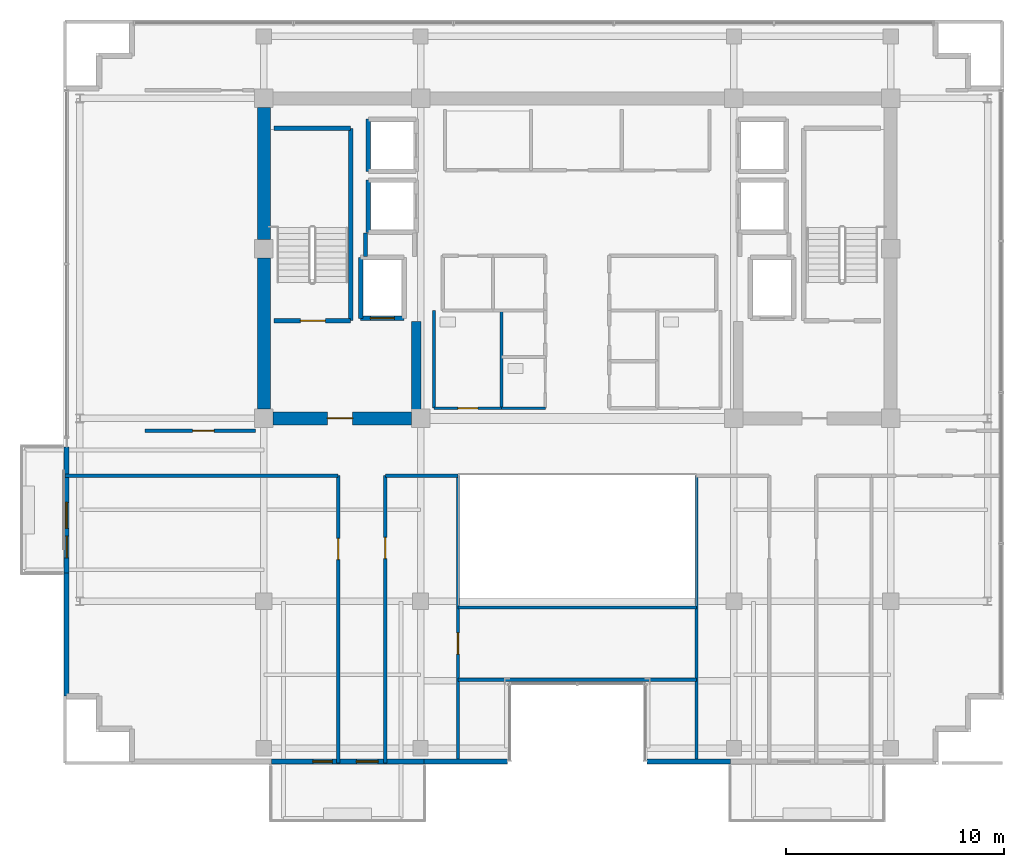
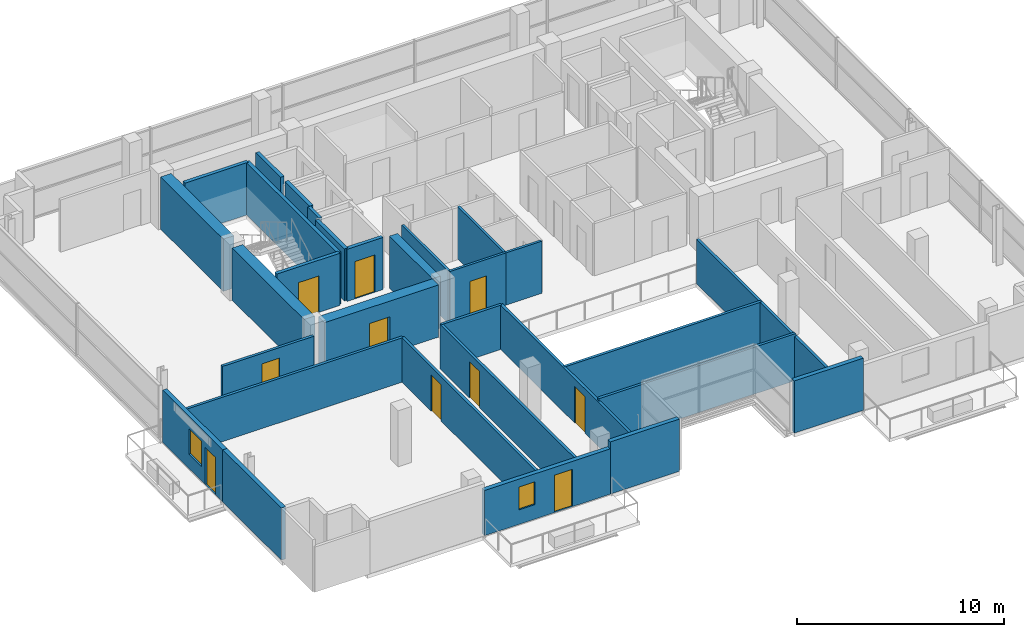
# One storey, part 15 of 22: 30 walls, 10 doors, 2 windows, 12 openings.
"""IFC4 building model written with IfcOpenShell, lengths in metres."""

from ifc_helpers import new_model, si_unit, direction, frame, frame_2d, origin, place, context, subcontext, project, spatial, rectangle, extrude, source, transform, mapped, material, layer, layer_set, type_object, element, fill, save


model = new_model("IFC4")

# Units and contexts
model_context = context("Model", 3, precision=1e-05, world=origin(), true_north=direction((0.0, 1.0)))
body_context = subcontext(model_context, "Body", "Model", "MODEL_VIEW")
ifc_project = project(units=[si_unit("LENGTHUNIT", "METRE"), si_unit("AREAUNIT", "SQUARE_METRE"), si_unit("VOLUMEUNIT", "CUBIC_METRE"), si_unit("PLANEANGLEUNIT", "RADIAN"), si_unit("MASSUNIT", "GRAM", prefix="KILO")], contexts=[model_context])

# Site, building, storey
site_placement = place(None, origin())
site = spatial("IfcSite", under=ifc_project, at=site_placement, CompositionType="ELEMENT")
building_placement = place(site_placement, origin())
building = spatial("IfcBuilding", under=site, at=building_placement, Name="Zarnakvel Exchange Tower", CompositionType="ELEMENT")
storey_placement = place(building_placement, frame((0.0, 0.0, 228.699951171875)))
storey = spatial("IfcBuildingStorey", under=building, at=storey_placement, Name="L64", CompositionType="ELEMENT", Elevation=228.699951171875)

# Walls
ifc_material_1 = material(Name="Concrete C50/60", Category="concrete")
ifc_layer_1 = layer(ifc_material_1, 0.60009765625)
ifc_layer_set_1 = layer_set([ifc_layer_1], Name="Concrete C50/60")
wall_type_1 = type_object("IfcWallType", Name="CW-C5", PredefinedType="SHEAR", material=ifc_layer_set_1)
wall_1_placement = place(storey_placement, frame((-14.39990234375, -0.77490234375, 0.0), z_axis=(0.0, 0.0, 1.0), x_axis=(0.0, 1.0, 0.0)))
element("IfcWall", 1, at=wall_1_placement, inside=storey, type_object=wall_type_1, Name="L64 Rear Core Shear Wall W1 (CW-C5)", PredefinedType="SHEAR", context=body_context, shape_type="SweptSolid", body=[
    extrude(rectangle(XDim=6.949951171875, YDim=0.60009765625, at=frame_2d((3.47509765625, 0.0))), origin(), (0.0, 0.0, 1.0), 3.074951171875),
])
wall_2_placement = place(storey_placement, frame((-14.39990234375, 7.02490234375, 0.0), z_axis=(0.0, 0.0, 1.0), x_axis=(0.0, 1.0, 0.0)))
element("IfcWall", 2, at=wall_2_placement, inside=storey, type_object=wall_type_1, Name="L64 Rear Core Shear Wall W2 (CW-C5)", PredefinedType="SHEAR", context=body_context, shape_type="SweptSolid", body=[
    extrude(rectangle(XDim=6.050048828125, YDim=0.60009765625, at=frame_2d((3.02490234375, 0.0))), origin(), (0.0, 0.0, 1.0), 3.074951171875),
])

# Wall, opening, door
wall_3_placement = place(storey_placement, frame((-7.625, -1.199951171875, 0.0), z_axis=(0.0, 0.0, 1.0), x_axis=(-1.0, 0.0, 0.0)))
wall_3 = element("IfcWall", 3, at=wall_3_placement, inside=storey, type_object=wall_type_1, Name="L64 Rear Core Shear Wall SW (CW-C5)", PredefinedType="SHEAR", context=body_context, shape_type="SweptSolid", body=[
    extrude(rectangle(XDim=6.35009765625, YDim=0.60009765625, at=frame_2d((3.175048828125, 0.0))), origin(), (0.0, 0.0, 1.0), 3.074951171875),
])
opening_1_placement = place(wall_3_placement, frame((2.699951171875, 0.0, 0.0)))
opening_1 = element("IfcOpeningElement", 4, at=opening_1_placement, cuts=wall_3, Name="Opening D-L64-03", PredefinedType="OPENING", context=body_context, shape_type="SweptSolid", body=[
    extrude(rectangle(XDim=1.14990234375, YDim=2.14990234375, at=frame_2d((0.574951171875, 1.074951171875))), frame((0.0, 0.31005859375, 0.0), z_axis=(0.0, -1.0, 0.0), x_axis=(1.0, 0.0, 0.0)), (0.0, 0.0, 1.0), 0.6201171875),
])
ifc_material_2 = material(Name="Painted Galvanised Steel S355", Category="steel")
door_type_1 = type_object("IfcDoorType", Name="DT-04", OperationType="NOTDEFINED", PredefinedType="DOOR", material=ifc_material_2)
shared_shape_1 = source(origin(), body_context, "Body", "SweptSolid", [
    extrude(rectangle(XDim=1.14990234375, YDim=2.14990234375, at=frame_2d((0.574951171875, 1.074951171875))), frame((0.0, 0.02490234375, 0.0), z_axis=(0.0, -1.0, 0.0), x_axis=(1.0, 0.0, 0.0)), (0.0, 0.0, 1.0), 0.050048828125),
])
door_1_placement = place(opening_1_placement, origin())
door_1 = element("IfcDoor", 5, at=door_1_placement, inside=storey, type_object=door_type_1, Name="L64 Firefighting Lobby West Door D-L64-03", OperationType="SINGLE_SWING_LEFT", OverallHeight=2.14990234375, OverallWidth=1.14990234375, PredefinedType="DOOR", context=body_context, shape_type="MappedRepresentation", body=[
    mapped(shared_shape_1, transform((0.0, 0.0, 0.0), x_axis=(1.0, 0.0, 0.0), y_axis=(0.0, 1.0, 0.0), z_axis=(0.0, 0.0, 1.0), scale=1.0)),
])
fill(opening_1, door_1)

# Wall
ifc_layer_2 = layer(ifc_material_1, 0.449951171875)
ifc_layer_set_2 = layer_set([ifc_layer_2], Name="Concrete C50/60")
wall_type_2 = type_object("IfcWallType", Name="CW-C6", PredefinedType="SHEAR", material=ifc_layer_set_2)
wall_4_placement = place(storey_placement, frame((-7.39990234375, -0.89990234375, 0.0), z_axis=(0.0, 0.0, 1.0), x_axis=(0.0, 1.0, 0.0)))
element("IfcWall", 6, at=wall_4_placement, inside=storey, type_object=wall_type_2, Name="L64 Rear Core Shear Wall IW (CW-C6)", PredefinedType="SHEAR", context=body_context, shape_type="SweptSolid", body=[
    extrude(rectangle(XDim=4.14990234375, YDim=0.449951171875, at=frame_2d((2.074951171875, 0.0))), origin(), (0.0, 0.0, 1.0), 3.074951171875),
])

# Wall, openings, door, window
ifc_material_3 = material(Name="Precast concrete C40/50", Category="concrete")
ifc_layer_3 = layer(ifc_material_3, 0.239990234375)
ifc_layer_set_3 = layer_set([ifc_layer_3], Name="Precast concrete C40/50")
wall_type_3 = type_object("IfcWallType", Name="EW-02", PredefinedType="SOLIDWALL", material=ifc_layer_set_3)
wall_5_placement = place(storey_placement, frame((-7.050048828125, -16.9599609375, 0.0), z_axis=(0.0, 0.0, 1.0), x_axis=(-1.0, 0.0, 0.0)))
wall_5 = element("IfcWall", 7, at=wall_5_placement, inside=storey, type_object=wall_type_3, Name="L64 Exterior Precast Spandrel Wall EW-BAL-L64-SW (EW-02)", PredefinedType="SOLIDWALL", context=body_context, shape_type="SweptSolid", body=[
    extrude(rectangle(XDim=7.0, YDim=0.239990234375, at=frame_2d((3.5, 0.0))), origin(), (0.0, 0.0, 1.0), 2.6650390625),
])
opening_2_placement = place(wall_5_placement, frame((2.10009765625, 0.0, 0.0)))
opening_2 = element("IfcOpeningElement", 8, at=opening_2_placement, cuts=wall_5, Name="Opening BD-L64-01", PredefinedType="OPENING", context=body_context, shape_type="SweptSolid", body=[
    extrude(rectangle(XDim=1.0, YDim=2.199951171875, at=frame_2d((0.5, 1.10009765625))), frame((0.0, 0.1298828125, 0.0), z_axis=(0.0, -1.0, 0.0), x_axis=(1.0, 0.0, 0.0)), (0.0, 0.0, 1.0), 0.260009765625),
])
opening_3_placement = place(wall_5_placement, frame((4.199951171875, 0.0, 0.85009765625)))
opening_3 = element("IfcOpeningElement", 9, at=opening_3_placement, cuts=wall_5, Name="Opening WN-06", PredefinedType="OPENING", context=body_context, shape_type="SweptSolid", body=[
    extrude(rectangle(XDim=0.89990234375, YDim=1.35009765625, at=frame_2d((0.449951171875, 0.675048828125))), frame((0.0, 0.1298828125, 0.0), z_axis=(0.0, -1.0, 0.0), x_axis=(1.0, 0.0, 0.0)), (0.0, 0.0, 1.0), 0.260009765625),
])
ifc_material_4 = material(Name="Architectural Bronze Anodised Aluminium", Category="aluminium")
door_type_2 = type_object("IfcDoorType", Name="DT-09", OperationType="NOTDEFINED", PredefinedType="DOOR", material=ifc_material_4)
shared_shape_2 = source(origin(), body_context, "Body", "SweptSolid", [
    extrude(rectangle(XDim=1.0, YDim=2.199951171875, at=frame_2d((0.5, 1.10009765625))), frame((0.0, 0.02490234375, 0.0), z_axis=(0.0, -1.0, 0.0), x_axis=(1.0, 0.0, 0.0)), (0.0, 0.0, 1.0), 0.050048828125),
])
door_2_placement = place(opening_2_placement, origin())
door_2 = element("IfcDoor", 10, at=door_2_placement, inside=storey, type_object=door_type_2, Name="L64 Planted Loggia Balcony Door BD-L64-01", OperationType="SINGLE_SWING_RIGHT", OverallHeight=2.199951171875, OverallWidth=1.0, PredefinedType="DOOR", context=body_context, shape_type="MappedRepresentation", body=[
    mapped(shared_shape_2, transform((0.0, 0.0, 0.0), x_axis=(1.0, 0.0, 0.0), y_axis=(0.0, 1.0, 0.0), z_axis=(0.0, 0.0, 1.0), scale=1.0)),
])
fill(opening_2, door_2)
ifc_material_5 = material(Name="Double Low-E Laminated Vision Glass", Category="glass")
window_type_1 = type_object("IfcWindowType", Name="WN-06", PartitioningType="SINGLE_PANEL", PredefinedType="WINDOW", material=ifc_material_5)
shared_shape_3 = source(origin(), body_context, "Body", "SweptSolid", [
    extrude(rectangle(XDim=0.89990234375, YDim=1.35009765625, at=frame_2d((0.449951171875, 0.675048828125))), frame((0.0, 0.030029296875, 0.0), z_axis=(0.0, -1.0, 0.0), x_axis=(1.0, 0.0, 0.0)), (0.0, 0.0, 1.0), 0.06005859375),
])
window_1_placement = place(opening_3_placement, origin())
window_1 = element("IfcWindow", 11, at=window_1_placement, inside=storey, type_object=window_type_1, Name="L64 Loggia Daylight Window (WN-06)", OverallHeight=1.35009765625, OverallWidth=0.89990234375, PartitioningType="SINGLE_PANEL", PredefinedType="WINDOW", context=body_context, shape_type="MappedRepresentation", body=[
    mapped(shared_shape_3, transform((0.0, 0.0, 0.0), x_axis=(1.0, 0.0, 0.0), y_axis=(0.0, 1.0, 0.0), z_axis=(0.0, 0.0, 1.0), scale=1.0)),
])
fill(opening_3, window_1)

wall_6_placement = place(storey_placement, frame((-23.4599609375, -8.300048828125, 0.0), z_axis=(0.0, 0.0, 1.0), x_axis=(0.0, 1.0, 0.0)))
wall_6 = element("IfcWall", 12, at=wall_6_placement, inside=storey, type_object=wall_type_3, Name="L64 Exterior Precast Spandrel Wall EW-BAL-L64-W (EW-02)", PredefinedType="SOLIDWALL", context=body_context, shape_type="SweptSolid", body=[
    extrude(rectangle(XDim=5.800048828125, YDim=0.239990234375, at=frame_2d((2.89990234375, 0.0))), origin(), (0.0, 0.0, 1.0), 3.074951171875),
])
opening_4_placement = place(wall_6_placement, frame((0.696044921875, 0.0, 0.0)))
opening_4 = element("IfcOpeningElement", 13, at=opening_4_placement, cuts=wall_6, Name="Opening BD-L64-03", PredefinedType="OPENING", context=body_context, shape_type="SweptSolid", body=[
    extrude(rectangle(XDim=1.0, YDim=2.199951171875, at=frame_2d((0.5, 1.10009765625))), frame((0.0, 0.1298828125, 0.0), z_axis=(0.0, -1.0, 0.0), x_axis=(1.0, 0.0, 0.0)), (0.0, 0.0, 1.0), 0.260009765625),
])
opening_5_placement = place(wall_6_placement, frame((2.0458984375, 0.0, 0.85009765625)))
opening_5 = element("IfcOpeningElement", 14, at=opening_5_placement, cuts=wall_6, Name="Opening WN-04", PredefinedType="OPENING", context=body_context, shape_type="SweptSolid", body=[
    extrude(rectangle(XDim=1.199951171875, YDim=1.5, at=frame_2d((0.60009765625, 0.75))), frame((0.0, 0.1298828125, 0.0), z_axis=(0.0, -1.0, 0.0), x_axis=(1.0, 0.0, 0.0)), (0.0, 0.0, 1.0), 0.260009765625),
])
door_3_placement = place(opening_4_placement, origin())
door_3 = element("IfcDoor", 15, at=door_3_placement, inside=storey, type_object=door_type_2, Name="L64 Planted Loggia Balcony Door BD-L64-03", OperationType="SINGLE_SWING_RIGHT", OverallHeight=2.199951171875, OverallWidth=1.0, PredefinedType="DOOR", context=body_context, shape_type="MappedRepresentation", body=[
    mapped(shared_shape_2, transform((0.0, 0.0, 0.0), x_axis=(1.0, 0.0, 0.0), y_axis=(0.0, 1.0, 0.0), z_axis=(0.0, 0.0, 1.0), scale=1.0)),
])
fill(opening_4, door_3)
window_type_2 = type_object("IfcWindowType", Name="WN-04", PartitioningType="SINGLE_PANEL", PredefinedType="WINDOW", material=ifc_material_5)
shared_shape_4 = source(origin(), body_context, "Body", "SweptSolid", [
    extrude(rectangle(XDim=1.199951171875, YDim=1.5, at=frame_2d((0.60009765625, 0.75))), frame((0.0, 0.030029296875, 0.0), z_axis=(0.0, -1.0, 0.0), x_axis=(1.0, 0.0, 0.0)), (0.0, 0.0, 1.0), 0.06005859375),
])
window_2_placement = place(opening_5_placement, origin())
window_2 = element("IfcWindow", 16, at=window_2_placement, inside=storey, type_object=window_type_2, Name="L64 Loggia Daylight Window (WN-04)", OverallHeight=1.5, OverallWidth=1.199951171875, PartitioningType="SINGLE_PANEL", PredefinedType="WINDOW", context=body_context, shape_type="MappedRepresentation", body=[
    mapped(shared_shape_4, transform((0.0, 0.0, 0.0), x_axis=(1.0, 0.0, 0.0), y_axis=(0.0, 1.0, 0.0), z_axis=(0.0, 0.0, 1.0), scale=1.0)),
])
fill(opening_5, window_2)

# Walls
wall_7_placement = place(storey_placement, frame((-23.4599609375, -8.300048828125, 0.0), z_axis=(0.0, 0.0, 1.0), x_axis=(0.0, -1.0, 0.0)))
element("IfcWall", 17, at=wall_7_placement, inside=storey, type_object=wall_type_3, Name="L64 Exterior Precast Spandrel Wall EWC-L64-01 (EW-02)", PredefinedType="SOLIDWALL", context=body_context, shape_type="SweptSolid", body=[
    extrude(rectangle(XDim=5.659912109375, YDim=0.239990234375, at=frame_2d((2.830078125, 0.0))), origin(), (0.0, 0.0, 1.0), 3.074951171875),
])
for number, where, z_axis, x_axis, name in (
    (18, (3.199951171875, -16.9599609375, 0.0), (0.0, 0.0, 1.0), (1.0, 0.0, 0.0), "L64 Exterior Precast Spandrel Wall EWC-L64-16 (EW-02)"),
    (19, (-7.050048828125, -16.9599609375, 0.0), (0.0, 0.0, 1.0), (1.0, 0.0, 0.0), "L64 Exterior Precast Spandrel Wall EWC-L64-21 (EW-02)"),
):
    element("IfcWall", number, at=place(storey_placement, frame(where, z_axis=z_axis, x_axis=x_axis)), inside=storey, type_object=wall_type_3, Name=name, PredefinedType="SOLIDWALL", context=body_context, shape_type="SweptSolid", body=[
        extrude(rectangle(XDim=3.85009765625, YDim=0.239990234375, at=frame_2d((1.925048828125, 0.0))), origin(), (0.0, 0.0, 1.0), 3.074951171875),
    ])
ifc_material_6 = material(Name="Fire-Rated Gypsum Stud Partition", Category="gypsum")
ifc_layer_4 = layer(ifc_material_6, 0.14990234375)
ifc_layer_set_4 = layer_set([ifc_layer_4], Name="Fire-Rated Gypsum Stud Partition")
wall_type_4 = type_object("IfcWallType", Name="PT-01", PredefinedType="PARTITIONING", material=ifc_layer_set_4)
wall_8_placement = place(storey_placement, frame((-23.530029296875, -3.830078125, 0.0), z_axis=(0.0, 0.0, 1.0), x_axis=(1.0, 0.0, 0.0)))
element("IfcWall", 20, at=wall_8_placement, inside=storey, type_object=wall_type_4, Name="L64 Partition Wall PWALL-L64-045 (PT-01)", PredefinedType="PARTITIONING", context=body_context, shape_type="SweptSolid", body=[
    extrude(rectangle(XDim=12.550048828125, YDim=0.14990234375, at=frame_2d((6.27490234375, 0.0))), origin(), (0.0, 0.0, 1.0), 2.614990234375),
])

# Wall, opening, door
wall_9_placement = place(storey_placement, frame((-10.97998046875, -3.830078125, 0.0), z_axis=(0.0, 0.0, 1.0), x_axis=(0.0, -1.0, 0.0)))
wall_9 = element("IfcWall", 21, at=wall_9_placement, inside=storey, type_object=wall_type_4, Name="L64 Partition Wall PWALL-L64-047 (PT-01)", PredefinedType="PARTITIONING", context=body_context, shape_type="SweptSolid", body=[
    extrude(rectangle(XDim=13.199951171875, YDim=0.14990234375, at=frame_2d((6.60009765625, 0.0))), origin(), (0.0, 0.0, 1.0), 2.614990234375),
])
opening_6_placement = place(wall_9_placement, frame((2.8798828125, 0.0, 0.0)))
opening_6 = element("IfcOpeningElement", 22, at=opening_6_placement, cuts=wall_9, Name="Opening D-L64-17", PredefinedType="OPENING", context=body_context, shape_type="SweptSolid", body=[
    extrude(rectangle(XDim=0.97998046875, YDim=2.14990234375, at=frame_2d((0.489990234375, 1.074951171875))), frame((0.0, 0.0849609375, 0.0), z_axis=(0.0, -1.0, 0.0), x_axis=(1.0, 0.0, 0.0)), (0.0, 0.0, 1.0), 0.169921875),
])
ifc_material_7 = material(Name="Timber Acoustic Veneer", Category="wood")
door_type_3 = type_object("IfcDoorType", Name="DT-05", OperationType="NOTDEFINED", PredefinedType="DOOR", material=ifc_material_7)
shared_shape_5 = source(origin(), body_context, "Body", "SweptSolid", [
    extrude(rectangle(XDim=0.97998046875, YDim=2.14990234375, at=frame_2d((0.489990234375, 1.074951171875))), frame((0.0, 0.02490234375, 0.0), z_axis=(0.0, -1.0, 0.0), x_axis=(1.0, 0.0, 0.0)), (0.0, 0.0, 1.0), 0.050048828125),
])
door_4_placement = place(opening_6_placement, origin())
door_4 = element("IfcDoor", 23, at=door_4_placement, inside=storey, type_object=door_type_3, Name="L64 Derivatives Trading Hall Door D-L64-17", OperationType="SINGLE_SWING_LEFT", OverallHeight=2.14990234375, OverallWidth=0.97998046875, PredefinedType="DOOR", context=body_context, shape_type="MappedRepresentation", body=[
    mapped(shared_shape_5, transform((0.0, 0.0, 0.0), x_axis=(1.0, 0.0, 0.0), y_axis=(0.0, 1.0, 0.0), z_axis=(0.0, 0.0, 1.0), scale=1.0)),
])
fill(opening_6, door_4)

# Wall
wall_10_placement = place(storey_placement, frame((-8.820068359375, -3.830078125, 0.0), z_axis=(0.0, 0.0, 1.0), x_axis=(1.0, 0.0, 0.0)))
element("IfcWall", 24, at=wall_10_placement, inside=storey, type_object=wall_type_4, Name="L64 Partition Wall PWALL-L64-057 (PT-01)", PredefinedType="PARTITIONING", context=body_context, shape_type="SweptSolid", body=[
    extrude(rectangle(XDim=3.340087890625, YDim=0.14990234375, at=frame_2d((1.669921875, 0.0))), origin(), (0.0, 0.0, 1.0), 2.614990234375),
])

# Wall, opening, door
wall_11_placement = place(storey_placement, frame((-8.820068359375, -17.030029296875, 0.0), z_axis=(0.0, 0.0, 1.0), x_axis=(0.0, 1.0, 0.0)))
wall_11 = element("IfcWall", 25, at=wall_11_placement, inside=storey, type_object=wall_type_4, Name="L64 Partition Wall PWALL-L64-058 (PT-01)", PredefinedType="PARTITIONING", context=body_context, shape_type="SweptSolid", body=[
    extrude(rectangle(XDim=13.199951171875, YDim=0.14990234375, at=frame_2d((6.60009765625, 0.0))), origin(), (0.0, 0.0, 1.0), 2.614990234375),
])
opening_7_placement = place(wall_11_placement, frame((9.385009765625, 0.0, 0.0)))
opening_7 = element("IfcOpeningElement", 26, at=opening_7_placement, cuts=wall_11, Name="Opening D-L64-21", PredefinedType="OPENING", context=body_context, shape_type="SweptSolid", body=[
    extrude(rectangle(XDim=0.97998046875, YDim=2.14990234375, at=frame_2d((0.489990234375, 1.074951171875))), frame((0.0, 0.0849609375, 0.0), z_axis=(0.0, -1.0, 0.0), x_axis=(1.0, 0.0, 0.0)), (0.0, 0.0, 1.0), 0.169921875),
])
door_5_placement = place(opening_7_placement, origin())
door_5 = element("IfcDoor", 27, at=door_5_placement, inside=storey, type_object=door_type_3, Name="L64 Staff Pantry Door D-L64-21", OperationType="SINGLE_SWING_LEFT", OverallHeight=2.14990234375, OverallWidth=0.97998046875, PredefinedType="DOOR", context=body_context, shape_type="MappedRepresentation", body=[
    mapped(shared_shape_5, transform((0.0, 0.0, 0.0), x_axis=(1.0, 0.0, 0.0), y_axis=(0.0, 1.0, 0.0), z_axis=(0.0, 0.0, 1.0), scale=1.0)),
])
fill(opening_7, door_5)

wall_12_placement = place(storey_placement, frame((-5.47998046875, -3.830078125, 0.0), z_axis=(0.0, 0.0, 1.0), x_axis=(0.0, -1.0, 0.0)))
wall_12 = element("IfcWall", 28, at=wall_12_placement, inside=storey, type_object=wall_type_4, Name="L64 Partition Wall PWALL-L64-059 (PT-01)", PredefinedType="PARTITIONING", context=body_context, shape_type="SweptSolid", body=[
    extrude(rectangle(XDim=13.199951171875, YDim=0.14990234375, at=frame_2d((6.60009765625, 0.0))), origin(), (0.0, 0.0, 1.0), 2.614990234375),
])
opening_8_placement = place(wall_12_placement, frame((7.219970703125, 0.0, 0.0)))
opening_8 = element("IfcOpeningElement", 29, at=opening_8_placement, cuts=wall_12, Name="Opening D-L64-23", PredefinedType="OPENING", context=body_context, shape_type="SweptSolid", body=[
    extrude(rectangle(XDim=0.97998046875, YDim=2.14990234375, at=frame_2d((0.489990234375, 1.074951171875))), frame((0.0, 0.0849609375, 0.0), z_axis=(0.0, -1.0, 0.0), x_axis=(1.0, 0.0, 0.0)), (0.0, 0.0, 1.0), 0.169921875),
])
door_6_placement = place(opening_8_placement, origin())
door_6 = element("IfcDoor", 30, at=door_6_placement, inside=storey, type_object=door_type_3, Name="L64 Client Lounge Door D-L64-23", OperationType="SINGLE_SWING_LEFT", OverallHeight=2.14990234375, OverallWidth=0.97998046875, PredefinedType="DOOR", context=body_context, shape_type="MappedRepresentation", body=[
    mapped(shared_shape_5, transform((0.0, 0.0, 0.0), x_axis=(1.0, 0.0, 0.0), y_axis=(0.0, 1.0, 0.0), z_axis=(0.0, 0.0, 1.0), scale=1.0)),
])
fill(opening_8, door_6)

# Walls
wall_13_placement = place(storey_placement, frame((5.47998046875, -17.030029296875, 0.0), z_axis=(0.0, 0.0, 1.0), x_axis=(0.0, 1.0, 0.0)))
element("IfcWall", 31, at=wall_13_placement, inside=storey, type_object=wall_type_4, Name="L64 Partition Wall PWALL-L64-062 (PT-01)", PredefinedType="PARTITIONING", context=body_context, shape_type="SweptSolid", body=[
    extrude(rectangle(XDim=13.199951171875, YDim=0.14990234375, at=frame_2d((6.60009765625, 0.0))), origin(), (0.0, 0.0, 1.0), 2.614990234375),
])
wall_14_placement = place(storey_placement, frame((5.47998046875, -13.199951171875, 0.0), z_axis=(0.0, 0.0, 1.0), x_axis=(-1.0, 0.0, 0.0)))
element("IfcWall", 32, at=wall_14_placement, inside=storey, type_object=wall_type_4, Name="L64 Partition Wall PWALL-L64-064 (PT-01)", PredefinedType="PARTITIONING", context=body_context, shape_type="SweptSolid", body=[
    extrude(rectangle(XDim=10.9599609375, YDim=0.14990234375, at=frame_2d((5.47998046875, 0.0))), origin(), (0.0, 0.0, 1.0), 2.76513671875),
])
wall_15_placement = place(storey_placement, frame((-5.47998046875, -9.8798828125, 0.0), z_axis=(0.0, 0.0, 1.0), x_axis=(1.0, 0.0, 0.0)))
element("IfcWall", 33, at=wall_15_placement, inside=storey, type_object=wall_type_4, Name="L64 Partition Wall PWALL-L64-065 (PT-01)", PredefinedType="PARTITIONING", context=body_context, shape_type="SweptSolid", body=[
    extrude(rectangle(XDim=10.9599609375, YDim=0.14990234375, at=frame_2d((5.47998046875, 0.0))), origin(), (0.0, 0.0, 1.0), 2.614990234375),
])

# Wall, opening, door
wall_16_placement = place(storey_placement, frame((-14.77001953125, -1.77001953125, 0.0), z_axis=(0.0, 0.0, 1.0), x_axis=(-1.0, 0.0, 0.0)))
wall_16 = element("IfcWall", 34, at=wall_16_placement, inside=storey, type_object=wall_type_4, Name="L64 Partition Wall PWALL-L64-066 (PT-01)", PredefinedType="PARTITIONING", context=body_context, shape_type="SweptSolid", body=[
    extrude(rectangle(XDim=5.083251953125, YDim=0.14990234375, at=frame_2d((2.54150390625, 0.0))), origin(), (0.0, 0.0, 1.0), 2.76513671875),
])
opening_9_placement = place(wall_16_placement, frame((1.9150390625, 0.0, 0.0)))
opening_9 = element("IfcOpeningElement", 35, at=opening_9_placement, cuts=wall_16, Name="Opening D-L64-24", PredefinedType="OPENING", context=body_context, shape_type="SweptSolid", body=[
    extrude(rectangle(XDim=0.97998046875, YDim=2.14990234375, at=frame_2d((0.489990234375, 1.074951171875))), frame((0.0, 0.0849609375, 0.0), z_axis=(0.0, -1.0, 0.0), x_axis=(1.0, 0.0, 0.0)), (0.0, 0.0, 1.0), 0.169921875),
])
door_7_placement = place(opening_9_placement, origin())
door_7 = element("IfcDoor", 36, at=door_7_placement, inside=storey, type_object=door_type_3, Name="L64 Staff Pantry Door D-L64-24", OperationType="SINGLE_SWING_RIGHT", OverallHeight=2.14990234375, OverallWidth=0.97998046875, PredefinedType="DOOR", context=body_context, shape_type="MappedRepresentation", body=[
    mapped(shared_shape_5, transform((0.0, 0.0, 0.0), x_axis=(1.0, 0.0, 0.0), y_axis=(0.0, 1.0, 0.0), z_axis=(0.0, 0.0, 1.0), scale=1.0)),
])
fill(opening_9, door_7)

# Wall
ifc_layer_5 = layer(ifc_material_6, 0.179931640625)
ifc_layer_set_5 = layer_set([ifc_layer_5], Name="Fire-Rated Gypsum Stud Partition")
wall_type_5 = type_object("IfcWallType", Name="PT-02", PredefinedType="PARTITIONING", material=ifc_layer_set_5)
wall_17_placement = place(storey_placement, frame((-9.72998046875, 6.239990234375, 0.0), z_axis=(0.0, 0.0, 1.0), x_axis=(0.0, 1.0, 0.0)))
element("IfcWall", 37, at=wall_17_placement, inside=storey, type_object=wall_type_5, Name="L64 Partition Wall PWALL-L64-007 (PT-02)", PredefinedType="PARTITIONING", context=body_context, shape_type="SweptSolid", body=[
    extrude(rectangle(XDim=1.090087890625, YDim=0.179931640625, at=frame_2d((0.544921875, 0.0))), origin(), (0.0, 0.0, 1.0), 3.074951171875),
])

# Wall, opening, door
ifc_material_8 = material(Name="Moisture-Resistant Tile-Faced Partition", Category="gypsum")
ifc_layer_6 = layer(ifc_material_8, 0.135009765625)
ifc_layer_set_6 = layer_set([ifc_layer_6], Name="Moisture-Resistant Tile-Faced Partition")
wall_type_6 = type_object("IfcWallType", Name="PT-03", PredefinedType="PARTITIONING", material=ifc_layer_set_6)
wall_18_placement = place(storey_placement, frame((-3.469970703125, -0.72998046875, 0.0), z_axis=(0.0, 0.0, 1.0), x_axis=(-1.0, 0.0, 0.0)))
wall_18 = element("IfcWall", 38, at=wall_18_placement, inside=storey, type_object=wall_type_6, Name="L64 Partition Wall PWALL-L64-029 (PT-03)", PredefinedType="PARTITIONING", context=body_context, shape_type="SweptSolid", body=[
    extrude(rectangle(XDim=3.110107421875, YDim=0.135009765625, at=frame_2d((1.55517578125, 0.0))), origin(), (0.0, 0.0, 1.0), 3.074951171875),
])
opening_10_placement = place(wall_18_placement, frame((1.090087890625, 0.0, 0.0)))
opening_10 = element("IfcOpeningElement", 39, at=opening_10_placement, cuts=wall_18, Name="Opening D-L64-11", PredefinedType="OPENING", context=body_context, shape_type="SweptSolid", body=[
    extrude(rectangle(XDim=0.919921875, YDim=2.10009765625, at=frame_2d((0.4599609375, 1.050048828125))), frame((0.0, 0.077392578125, 0.0), z_axis=(0.0, -1.0, 0.0), x_axis=(1.0, 0.0, 0.0)), (0.0, 0.0, 1.0), 0.155029296875),
])
ifc_material_9 = material(Name="Moisture-Resistant Laminate Timber", Category="wood")
door_type_4 = type_object("IfcDoorType", Name="DT-07", OperationType="NOTDEFINED", PredefinedType="DOOR", material=ifc_material_9)
shared_shape_6 = source(origin(), body_context, "Body", "SweptSolid", [
    extrude(rectangle(XDim=0.919921875, YDim=2.10009765625, at=frame_2d((0.4599609375, 1.050048828125))), frame((0.0, 0.02490234375, 0.0), z_axis=(0.0, -1.0, 0.0), x_axis=(1.0, 0.0, 0.0)), (0.0, 0.0, 1.0), 0.050048828125),
])
door_8_placement = place(opening_10_placement, origin())
door_8 = element("IfcDoor", 40, at=door_8_placement, inside=storey, type_object=door_type_4, Name="L64 Male Toilet Door D-L64-11", OperationType="SINGLE_SWING_LEFT", OverallHeight=2.10009765625, OverallWidth=0.919921875, PredefinedType="DOOR", context=body_context, shape_type="MappedRepresentation", body=[
    mapped(shared_shape_6, transform((0.0, 0.0, 0.0), x_axis=(1.0, 0.0, 0.0), y_axis=(0.0, 1.0, 0.0), z_axis=(0.0, 0.0, 1.0), scale=1.0)),
])
fill(opening_10, door_8)

# Walls
for number, where, z_axis, x_axis, name in (
    (41, (-6.580078125, -0.72998046875, 0.0), (0.0, 0.0, 1.0), (0.0, 1.0, 0.0), "L64 Partition Wall PWALL-L64-030 (PT-03)"),
    (42, (-3.469970703125, 3.760009765625, 0.0), (0.0, 0.0, 1.0), (0.0, -1.0, 0.0), "L64 Partition Wall PWALL-L64-031 (PT-03)"),
):
    element("IfcWall", number, at=place(storey_placement, frame(where, z_axis=z_axis, x_axis=x_axis)), inside=storey, type_object=wall_type_6, Name=name, PredefinedType="PARTITIONING", context=body_context, shape_type="SweptSolid", body=[
        extrude(rectangle(XDim=4.489990234375, YDim=0.135009765625, at=frame_2d((2.2451171875, 0.0))), origin(), (0.0, 0.0, 1.0), 3.074951171875),
    ])
wall_19_placement = place(storey_placement, frame((-1.469970703125, -0.72998046875, 0.0), z_axis=(0.0, 0.0, 1.0), x_axis=(-1.0, 0.0, 0.0)))
element("IfcWall", 43, at=wall_19_placement, inside=storey, type_object=wall_type_6, Name="L64 Partition Wall PWALL-L64-032 (PT-03)", PredefinedType="PARTITIONING", context=body_context, shape_type="SweptSolid", body=[
    extrude(rectangle(XDim=2.0, YDim=0.135009765625, at=frame_2d((1.0, 0.0))), origin(), (0.0, 0.0, 1.0), 3.074951171875),
])

# Wall, opening, door
ifc_material_10 = material(Name="Concrete C40/50", Category="concrete")
ifc_layer_7 = layer(ifc_material_10, 0.199951171875)
ifc_layer_set_7 = layer_set([ifc_layer_7], Name="Concrete C40/50")
wall_type_7 = type_object("IfcWallType", Name="SW-01", PredefinedType="SOLIDWALL", material=ifc_layer_set_7)
wall_20_placement = place(storey_placement, frame((-7.949951171875, 3.39990234375, 0.0), z_axis=(0.0, 0.0, 1.0), x_axis=(-1.0, 0.0, 0.0)))
wall_20 = element("IfcWall", 44, at=wall_20_placement, inside=storey, type_object=wall_type_7, Name="L64 FL-01 Hoistway Wall South", PredefinedType="SOLIDWALL", context=body_context, shape_type="SweptSolid", body=[
    extrude(rectangle(XDim=2.0, YDim=0.199951171875, at=frame_2d((1.0, 0.0))), origin(), (0.0, 0.0, 1.0), 3.074951171875),
])
opening_11_placement = place(wall_20_placement, frame((0.449951171875, 0.0, 0.0)))
opening_11 = element("IfcOpeningElement", 45, at=opening_11_placement, cuts=wall_20, Name="Opening LD-FL-01-L64", PredefinedType="OPENING", context=body_context, shape_type="SweptSolid", body=[
    extrude(rectangle(XDim=1.10009765625, YDim=2.199951171875, at=frame_2d((0.550048828125, 1.10009765625))), frame((0.0, 0.10986328125, 0.0), z_axis=(0.0, -1.0, 0.0), x_axis=(1.0, 0.0, 0.0)), (0.0, 0.0, 1.0), 0.219970703125),
])
ifc_material_11 = material(Name="Brushed Stainless Steel", Category="steel")
door_type_5 = type_object("IfcDoorType", Name="LDT-01", OperationType="NOTDEFINED", PredefinedType="DOOR", material=ifc_material_11)
shared_shape_7 = source(origin(), body_context, "Body", "SweptSolid", [
    extrude(rectangle(XDim=1.10009765625, YDim=2.199951171875, at=frame_2d((0.550048828125, 1.10009765625))), frame((0.0, 0.02490234375, 0.0), z_axis=(0.0, -1.0, 0.0), x_axis=(1.0, 0.0, 0.0)), (0.0, 0.0, 1.0), 0.050048828125),
])
door_9_placement = place(opening_11_placement, origin())
door_9 = element("IfcDoor", 46, at=door_9_placement, inside=storey, type_object=door_type_5, Name="L64 FL-01 Lift Landing Door LD-FL-01-L64", OperationType="DOUBLE_DOOR_SLIDING", OverallHeight=2.199951171875, OverallWidth=1.10009765625, PredefinedType="DOOR", context=body_context, shape_type="MappedRepresentation", body=[
    mapped(shared_shape_7, transform((0.0, 0.0, 0.0), x_axis=(1.0, 0.0, 0.0), y_axis=(0.0, 1.0, 0.0), z_axis=(0.0, 0.0, 1.0), scale=1.0)),
])
fill(opening_11, door_9)

# Walls
wall_21_placement = place(storey_placement, frame((-9.949951171875, 3.39990234375, 0.0), z_axis=(0.0, 0.0, 1.0), x_axis=(0.0, 1.0, 0.0)))
element("IfcWall", 47, at=wall_21_placement, inside=storey, type_object=wall_type_7, Name="L64 FL-01 Hoistway Wall West", PredefinedType="SOLIDWALL", context=body_context, shape_type="SweptSolid", body=[
    extrude(rectangle(XDim=2.800048828125, YDim=0.199951171875, at=frame_2d((1.39990234375, 0.0))), origin(), (0.0, 0.0, 1.0), 3.074951171875),
])
wall_22_placement = place(storey_placement, frame((-9.60009765625, 7.35009765625, 0.0), z_axis=(0.0, 0.0, 1.0), x_axis=(0.0, 1.0, 0.0)))
element("IfcWall", 48, at=wall_22_placement, inside=storey, type_object=wall_type_7, Name="L64 PL-09 Hoistway Wall West", PredefinedType="SOLIDWALL", context=body_context, shape_type="SweptSolid", body=[
    extrude(rectangle(XDim=2.39990234375, YDim=0.199951171875, at=frame_2d((1.199951171875, 0.0))), origin(), (0.0, 0.0, 1.0), 3.074951171875),
])
wall_23_placement = place(storey_placement, frame((-9.60009765625, 10.14990234375, 0.0), z_axis=(0.0, 0.0, 1.0), x_axis=(0.0, 1.0, 0.0)))
element("IfcWall", 49, at=wall_23_placement, inside=storey, type_object=wall_type_7, Name="L64 PL-10 Hoistway Wall West", PredefinedType="SOLIDWALL", context=body_context, shape_type="SweptSolid", body=[
    extrude(rectangle(XDim=2.400146484375, YDim=0.199951171875, at=frame_2d((1.2001953125, 0.0))), origin(), (0.0, 0.0, 1.0), 3.074951171875),
])

# Wall, opening, door
ifc_layer_8 = layer(ifc_material_10, 0.199951171875)
ifc_layer_set_8 = layer_set([ifc_layer_8], Name="Concrete C40/50")
wall_type_8 = type_object("IfcWallType", Name="SW-02", PredefinedType="SOLIDWALL", material=ifc_layer_set_8)
wall_24_placement = place(storey_placement, frame((-10.409912109375, 3.2900390625, 0.0), z_axis=(0.0, 0.0, 1.0), x_axis=(-1.0, 0.0, 0.0)))
wall_24 = element("IfcWall", 50, at=wall_24_placement, inside=storey, type_object=wall_type_8, Name="L64 Stairwell Core Wall PWALL-L64-001 (SW-02)", PredefinedType="SOLIDWALL", context=body_context, shape_type="SweptSolid", body=[
    extrude(rectangle(XDim=3.52001953125, YDim=0.199951171875, at=frame_2d((1.760009765625, 0.0))), origin(), (0.0, 0.0, 1.0), 3.074951171875),
])
opening_12_placement = place(wall_24_placement, frame((1.1650390625, 0.0, 0.0)))
opening_12 = element("IfcOpeningElement", 51, at=opening_12_placement, cuts=wall_24, Name="Opening D-L64-01", PredefinedType="OPENING", context=body_context, shape_type="SweptSolid", body=[
    extrude(rectangle(XDim=1.14990234375, YDim=2.14990234375, at=frame_2d((0.574951171875, 1.074951171875))), frame((0.0, 0.10986328125, 0.0), z_axis=(0.0, -1.0, 0.0), x_axis=(1.0, 0.0, 0.0)), (0.0, 0.0, 1.0), 0.219970703125),
])
door_10_placement = place(opening_12_placement, origin())
door_10 = element("IfcDoor", 52, at=door_10_placement, inside=storey, type_object=door_type_1, Name="L64 Stairwell ST-01 Door D-L64-01", OperationType="SINGLE_SWING_LEFT", OverallHeight=2.14990234375, OverallWidth=1.14990234375, PredefinedType="DOOR", context=body_context, shape_type="MappedRepresentation", body=[
    mapped(shared_shape_1, transform((0.0, 0.0, 0.0), x_axis=(1.0, 0.0, 0.0), y_axis=(0.0, 1.0, 0.0), z_axis=(0.0, 0.0, 1.0), scale=1.0)),
])
fill(opening_12, door_10)

# Walls
wall_25_placement = place(storey_placement, frame((-13.929931640625, 12.1298828125, 0.0), z_axis=(0.0, 0.0, 1.0), x_axis=(1.0, 0.0, 0.0)))
element("IfcWall", 53, at=wall_25_placement, inside=storey, type_object=wall_type_8, Name="L64 Stairwell Core Wall PWALL-L64-002 (SW-02)", PredefinedType="SOLIDWALL", context=body_context, shape_type="SweptSolid", body=[
    extrude(rectangle(XDim=3.52001953125, YDim=0.199951171875, at=frame_2d((1.760009765625, 0.0))), origin(), (0.0, 0.0, 1.0), 3.074951171875),
])
wall_26_placement = place(storey_placement, frame((-10.409912109375, 12.1298828125, 0.0), z_axis=(0.0, 0.0, 1.0), x_axis=(0.0, -1.0, 0.0)))
element("IfcWall", 54, at=wall_26_placement, inside=storey, type_object=wall_type_8, Name="L64 Stairwell Core Wall PWALL-L64-003 (SW-02)", PredefinedType="SOLIDWALL", context=body_context, shape_type="SweptSolid", body=[
    extrude(rectangle(XDim=8.83984375, YDim=0.199951171875, at=frame_2d((4.419921875, 0.0))), origin(), (0.0, 0.0, 1.0), 3.074951171875),
])

save(model, "model.ifc")
